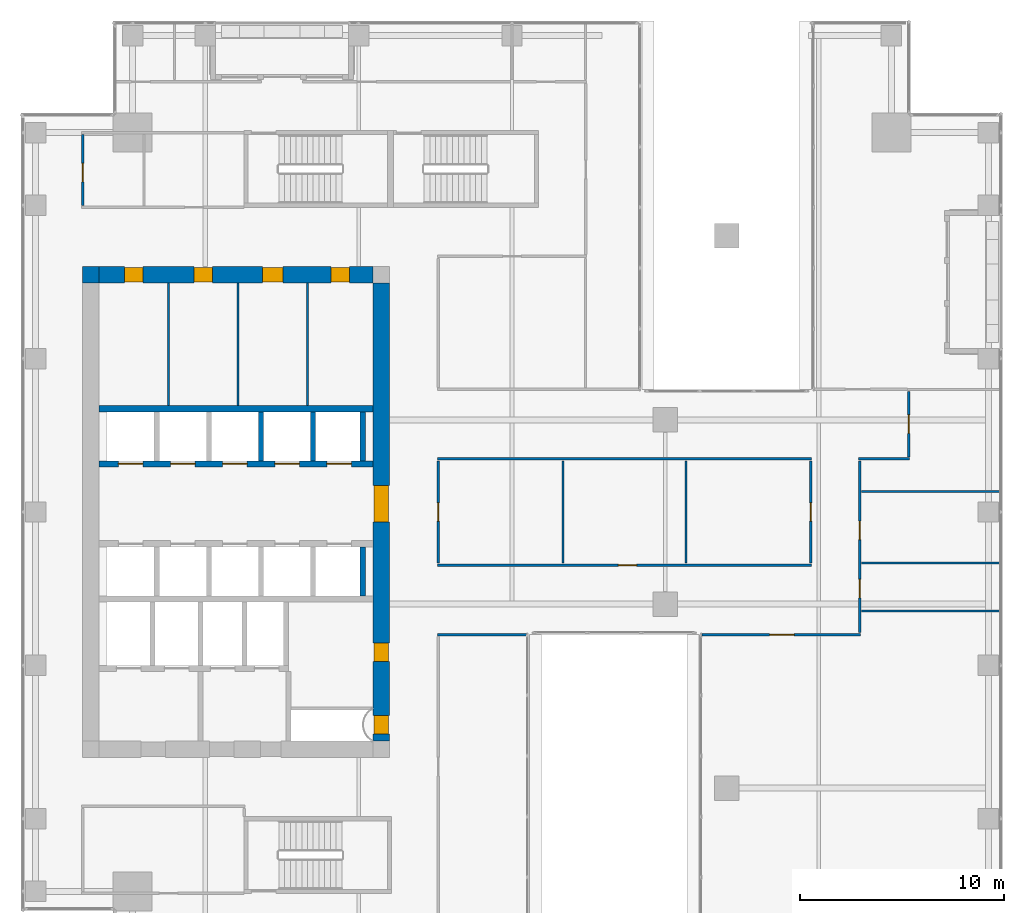
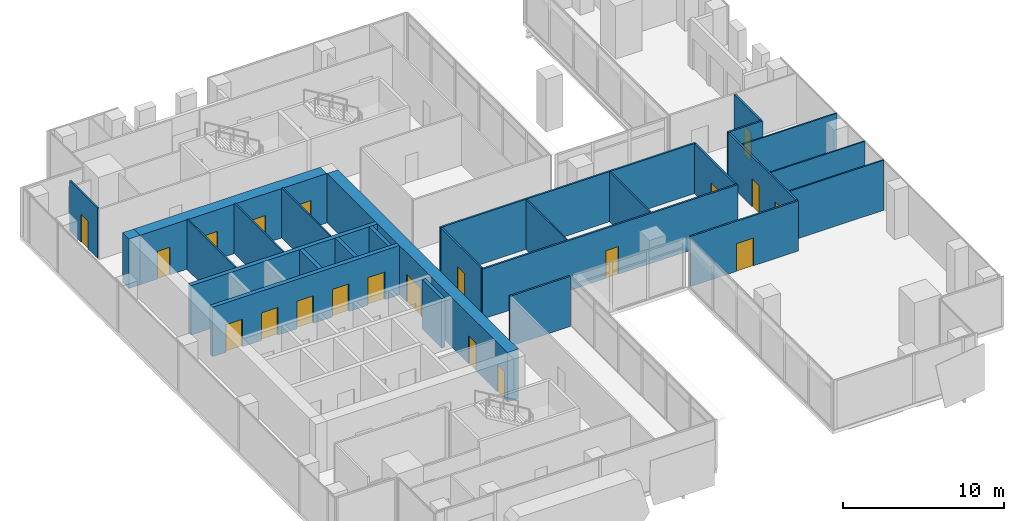
# One storey, part 35 of 40: 27 walls, 20 doors, 20 openings.
"""IFC4 building model written with IfcOpenShell, lengths in metres."""

from ifc_helpers import new_model, si_unit, direction, frame, frame_2d, origin, place, context, subcontext, project, spatial, rectangle, extrude, source, transform, mapped, material, layer, layer_set, type_object, element, fill, save


model = new_model("IFC4")

# Units and contexts
model_context = context("Model", 3, precision=1e-05, world=origin(), true_north=direction((0.0, 1.0)))
body_context = subcontext(model_context, "Body", "Model", "MODEL_VIEW")
ifc_project = project(units=[si_unit("LENGTHUNIT", "METRE"), si_unit("AREAUNIT", "SQUARE_METRE"), si_unit("VOLUMEUNIT", "CUBIC_METRE"), si_unit("PLANEANGLEUNIT", "RADIAN"), si_unit("MASSUNIT", "GRAM", prefix="KILO")], contexts=[model_context])

# Site, building, storey
site_placement = place(None, origin())
site = spatial("IfcSite", under=ifc_project, at=site_placement, CompositionType="ELEMENT")
building_placement = place(site_placement, origin())
building = spatial("IfcBuilding", under=site, at=building_placement, Name="Khomas Fold Tower", CompositionType="ELEMENT")
storey_placement = place(building_placement, frame((0.0, 0.0, 180.699951171875)))
storey = spatial("IfcBuildingStorey", under=building, at=storey_placement, Name="L39", CompositionType="ELEMENT", Elevation=180.699951171875)

# Wall, openings, doors
ifc_material_1 = material(Name="Concrete C60/75", Category="concrete")
ifc_layer_1 = layer(ifc_material_1, 0.800048828125)
ifc_layer_set_1 = layer_set([ifc_layer_1], Name="Concrete C60/75")
wall_type_1 = type_object("IfcWallType", Name="Core wall 800", PredefinedType="SHEAR", material=ifc_layer_set_1)
shared_shape_1 = source(origin(), body_context, "Body", "SweptSolid", [
    extrude(rectangle(XDim=13.39990234375, YDim=0.800048828125, at=frame_2d((6.699951171875, 0.0))), origin(), (0.0, 0.0, 1.0), 3.75),
])
wall_1_placement = place(storey_placement, frame((6.800048828125, 38.60009765625, 0.0), z_axis=(0.0, 0.0, 1.0), x_axis=(1.0, 0.0, 0.0)))
wall_1 = element("IfcWall", 1, at=wall_1_placement, inside=storey, type_object=wall_type_1, Name="Core wall CW-U-N-L35", PredefinedType="SHEAR", context=body_context, shape_type="MappedRepresentation", body=[
    mapped(shared_shape_1, transform((0.0, 0.0, 0.0))),
])
shared_shape_2 = source(origin(), body_context, "Body", "SweptSolid", [
    extrude(rectangle(XDim=0.89990234375, YDim=2.10009765625, at=frame_2d((0.449951171875, 1.050048828125))), frame((0.0, 0.409912109375, 0.0), z_axis=(0.0, -1.0, 0.0), x_axis=(1.0, 0.0, 0.0)), (0.0, 0.0, 1.0), 0.820068359375),
])
opening_1_placement = place(wall_1_placement, frame((1.25, 0.0, 0.0)))
opening_1 = element("IfcOpeningElement", 2, at=opening_1_placement, cuts=wall_1, Name="Opening 0004", PredefinedType="OPENING", context=body_context, shape_type="MappedRepresentation", body=[
    mapped(shared_shape_2, transform((0.0, 0.0, 0.0))),
])
opening_2_placement = place(wall_1_placement, frame((4.64990234375, 0.0, 0.0)))
opening_2 = element("IfcOpeningElement", 3, at=opening_2_placement, cuts=wall_1, Name="Opening 0004", PredefinedType="OPENING", context=body_context, shape_type="MappedRepresentation", body=[
    mapped(shared_shape_2, transform((0.0, 0.0, 0.0))),
])
shared_shape_3 = source(origin(), body_context, "Body", "SweptSolid", [
    extrude(rectangle(XDim=1.0, YDim=2.10009765625, at=frame_2d((0.5, 1.050048828125))), frame((0.0, 0.409912109375, 0.0), z_axis=(0.0, -1.0, 0.0), x_axis=(1.0, 0.0, 0.0)), (0.0, 0.0, 1.0), 0.820068359375),
])
opening_3_placement = place(wall_1_placement, frame((8.0, 0.0, 0.0)))
opening_3 = element("IfcOpeningElement", 4, at=opening_3_placement, cuts=wall_1, Name="Opening 0006", PredefinedType="OPENING", context=body_context, shape_type="MappedRepresentation", body=[
    mapped(shared_shape_3, transform((0.0, 0.0, 0.0))),
])
opening_4_placement = place(wall_1_placement, frame((11.35009765625, 0.0, 0.0)))
opening_4 = element("IfcOpeningElement", 5, at=opening_4_placement, cuts=wall_1, Name="Opening 0008", PredefinedType="OPENING", context=body_context, shape_type="MappedRepresentation", body=[
    mapped(shared_shape_2, transform((0.0, 0.0, 0.0))),
])
ifc_material_2 = material(Name="Timber door leaf", Category="wood")
door_type_1 = type_object("IfcDoorType", Name="WC door 900x2100 right-hand", OperationType="SINGLE_SWING_RIGHT", PredefinedType="DOOR", material=ifc_material_2)
shared_shape_4 = source(origin(), body_context, "Body", "SweptSolid", [
    extrude(rectangle(XDim=0.89990234375, YDim=2.10009765625, at=frame_2d((0.449951171875, 1.050048828125))), frame((0.0, 0.35009765625, 0.0), z_axis=(0.0, -1.0, 0.0), x_axis=(1.0, 0.0, 0.0)), (0.0, 0.0, 1.0), 0.699951171875),
])
door_1_placement = place(opening_1_placement, origin())
door_1 = element("IfcDoor", 6, at=door_1_placement, inside=storey, type_object=door_type_1, Name="WC door", OperationType="SINGLE_SWING_RIGHT", OverallHeight=2.10009765625, OverallWidth=0.89990234375, PredefinedType="DOOR", context=body_context, shape_type="MappedRepresentation", body=[
    mapped(shared_shape_4, transform((0.0, 0.0, 0.0))),
])
fill(opening_1, door_1)
door_2_placement = place(opening_2_placement, origin())
door_2 = element("IfcDoor", 7, at=door_2_placement, inside=storey, type_object=door_type_1, Name="WC door", OperationType="SINGLE_SWING_RIGHT", OverallHeight=2.10009765625, OverallWidth=0.89990234375, PredefinedType="DOOR", context=body_context, shape_type="MappedRepresentation", body=[
    mapped(shared_shape_4, transform((0.0, 0.0, 0.0))),
])
fill(opening_2, door_2)
ifc_material_3 = material(Name="Timber door leaf", Category="wood")
door_type_2 = type_object("IfcDoorType", Name="Door 900x2100 right-hand", OperationType="SINGLE_SWING_RIGHT", PredefinedType="DOOR", material=ifc_material_3)
door_3_placement = place(opening_4_placement, origin())
door_3 = element("IfcDoor", 8, at=door_3_placement, inside=storey, type_object=door_type_2, Name="Door", OperationType="SINGLE_SWING_RIGHT", OverallHeight=2.10009765625, OverallWidth=0.89990234375, PredefinedType="DOOR", context=body_context, shape_type="MappedRepresentation", body=[
    mapped(shared_shape_4, transform((0.0, 0.0, 0.0))),
])
fill(opening_4, door_3)
ifc_material_4 = material(Name="Timber door leaf", Category="wood")
door_type_3 = type_object("IfcDoorType", Name="WC door 1000x2100 right-hand", OperationType="SINGLE_SWING_RIGHT", PredefinedType="DOOR", material=ifc_material_4)
shared_shape_5 = source(origin(), body_context, "Body", "SweptSolid", [
    extrude(rectangle(XDim=1.0, YDim=2.10009765625, at=frame_2d((0.5, 1.050048828125))), frame((0.0, 0.35009765625, 0.0), z_axis=(0.0, -1.0, 0.0), x_axis=(1.0, 0.0, 0.0)), (0.0, 0.0, 1.0), 0.699951171875),
])
door_4_placement = place(opening_3_placement, origin())
door_4 = element("IfcDoor", 9, at=door_4_placement, inside=storey, type_object=door_type_3, Name="WC door", OperationType="SINGLE_SWING_RIGHT", OverallHeight=2.10009765625, OverallWidth=1.0, PredefinedType="DOOR", context=body_context, shape_type="MappedRepresentation", body=[
    mapped(shared_shape_5, transform((0.0, 0.0, 0.0))),
])
fill(opening_3, door_4)

# Wall
ifc_material_5 = material(Name="Concrete C60/75", Category="concrete")
ifc_layer_2 = layer(ifc_material_5, 0.800048828125)
ifc_layer_set_2 = layer_set([ifc_layer_2], Name="Concrete C60/75")
wall_type_2 = type_object("IfcWallType", Name="Core corner wall 800", PredefinedType="SHEAR", material=ifc_layer_set_2)
shared_shape_6 = source(origin(), body_context, "Body", "SweptSolid", [
    extrude(rectangle(XDim=0.800048828125, YDim=0.800048828125, at=frame_2d((0.39990234375, 0.0))), origin(), (0.0, 0.0, 1.0), 3.75),
])
wall_2_placement = place(storey_placement, frame((6.0, 38.60009765625, 0.0), z_axis=(0.0, 0.0, 1.0), x_axis=(1.0, 0.0, 0.0)))
element("IfcWall", 10, at=wall_2_placement, inside=storey, type_object=wall_type_2, Name="Core wall CW-U-NW-L35", PredefinedType="SHEAR", context=body_context, shape_type="MappedRepresentation", body=[
    mapped(shared_shape_6, transform((0.0, 0.0, 0.0))),
])

# Wall, openings, doors
shared_shape_7 = source(origin(), body_context, "Body", "SweptSolid", [
    extrude(rectangle(XDim=22.39990234375, YDim=0.800048828125, at=frame_2d((11.199951171875, 0.0))), origin(), (0.0, 0.0, 1.0), 3.75),
])
wall_3_placement = place(storey_placement, frame((20.60009765625, 15.800048828125, 0.0), z_axis=(0.0, 0.0, 1.0), x_axis=(0.0, 1.0, 0.0)))
wall_3 = element("IfcWall", 11, at=wall_3_placement, inside=storey, type_object=wall_type_1, Name="Core wall CW-U-E-L35", PredefinedType="SHEAR", context=body_context, shape_type="MappedRepresentation", body=[
    mapped(shared_shape_7, transform((0.0, 0.0, 0.0))),
])
shared_shape_8 = source(origin(), body_context, "Body", "SweptSolid", [
    extrude(rectangle(XDim=1.800048828125, YDim=2.10009765625, at=frame_2d((0.89990234375, 1.050048828125))), frame((0.0, 0.409912109375, 0.0), z_axis=(0.0, -1.0, 0.0), x_axis=(1.0, 0.0, 0.0)), (0.0, 0.0, 1.0), 0.820068359375),
])
opening_5_placement = place(wall_3_placement, frame((10.699951171875, 0.0, 0.0)))
opening_5 = element("IfcOpeningElement", 12, at=opening_5_placement, cuts=wall_3, Name="Opening 0015", PredefinedType="OPENING", context=body_context, shape_type="MappedRepresentation", body=[
    mapped(shared_shape_8, transform((0.0, 0.0, 0.0))),
])
opening_6_placement = place(wall_3_placement, frame((0.35009765625, 0.0, 0.0)))
opening_6 = element("IfcOpeningElement", 13, at=opening_6_placement, cuts=wall_3, Name="Opening 0003", PredefinedType="OPENING", context=body_context, shape_type="MappedRepresentation", body=[
    mapped(shared_shape_2, transform((0.0, 0.0, 0.0))),
])
opening_7_placement = place(wall_3_placement, frame((3.89990234375, 0.0, 0.0)))
opening_7 = element("IfcOpeningElement", 14, at=opening_7_placement, cuts=wall_3, Name="Opening 0008", PredefinedType="OPENING", context=body_context, shape_type="MappedRepresentation", body=[
    mapped(shared_shape_2, transform((0.0, 0.0, 0.0))),
])
ifc_material_6 = material(Name="Steel door leaf", Category="steel")
door_type_4 = type_object("IfcDoorType", Name="Lobby door 1800x2100", OperationType="DOUBLE_DOOR_SINGLE_SWING", PredefinedType="DOOR", material=ifc_material_6)
shared_shape_9 = source(origin(), body_context, "Body", "SweptSolid", [
    extrude(rectangle(XDim=1.800048828125, YDim=2.10009765625, at=frame_2d((0.89990234375, 1.050048828125))), frame((0.0, 0.35009765625, 0.0), z_axis=(0.0, -1.0, 0.0), x_axis=(1.0, 0.0, 0.0)), (0.0, 0.0, 1.0), 0.699951171875),
])
door_5_placement = place(opening_5_placement, origin())
door_5 = element("IfcDoor", 15, at=door_5_placement, inside=storey, type_object=door_type_4, Name="Lobby door", OperationType="DOUBLE_DOOR_SINGLE_SWING", OverallHeight=2.10009765625, OverallWidth=1.800048828125, PredefinedType="DOOR", context=body_context, shape_type="MappedRepresentation", body=[
    mapped(shared_shape_9, transform((0.0, 0.0, 0.0))),
])
fill(opening_5, door_5)
ifc_material_7 = material(Name="Steel door leaf", Category="steel")
door_type_5 = type_object("IfcDoorType", Name="Plant room door 900x2100 right-hand", OperationType="SINGLE_SWING_RIGHT", PredefinedType="DOOR", material=ifc_material_7)
door_6_placement = place(opening_6_placement, origin())
door_6 = element("IfcDoor", 16, at=door_6_placement, inside=storey, type_object=door_type_5, Name="Plant room door", OperationType="SINGLE_SWING_RIGHT", OverallHeight=2.10009765625, OverallWidth=0.89990234375, PredefinedType="DOOR", context=body_context, shape_type="MappedRepresentation", body=[
    mapped(shared_shape_4, transform((0.0, 0.0, 0.0))),
])
fill(opening_6, door_6)
door_7_placement = place(opening_7_placement, origin())
door_7 = element("IfcDoor", 17, at=door_7_placement, inside=storey, type_object=door_type_2, Name="Door", OperationType="SINGLE_SWING_RIGHT", OverallHeight=2.10009765625, OverallWidth=0.89990234375, PredefinedType="DOOR", context=body_context, shape_type="MappedRepresentation", body=[
    mapped(shared_shape_4, transform((0.0, 0.0, 0.0))),
])
fill(opening_7, door_7)

# Wall
ifc_material_8 = material(Name="Concrete C50/60", Category="concrete")
ifc_layer_3 = layer(ifc_material_8, 0.300048828125)
ifc_layer_set_3 = layer_set([ifc_layer_3], Name="Concrete C50/60")
wall_type_3 = type_object("IfcWallType", Name="Shaft wall 300", PredefinedType="STANDARD", material=ifc_layer_set_3)
shared_shape_10 = source(origin(), body_context, "Body", "SweptSolid", [
    extrude(rectangle(XDim=13.39990234375, YDim=0.300048828125, at=frame_2d((6.699951171875, 0.0))), origin(), (0.0, 0.0, 1.0), 3.75),
])
wall_4_placement = place(storey_placement, frame((6.800048828125, 32.050048828125, 0.0), z_axis=(0.0, 0.0, 1.0), x_axis=(1.0, 0.0, 0.0)))
element("IfcWall", 18, at=wall_4_placement, inside=storey, type_object=wall_type_3, Name="Core wall SW-HRN-B", PredefinedType="STANDARD", context=body_context, shape_type="MappedRepresentation", body=[
    mapped(shared_shape_10, transform((0.0, 0.0, 0.0))),
])

# Wall, openings, doors
wall_5_placement = place(storey_placement, frame((6.800048828125, 29.35009765625, 0.0), z_axis=(0.0, 0.0, 1.0), x_axis=(1.0, 0.0, 0.0)))
wall_5 = element("IfcWall", 19, at=wall_5_placement, inside=storey, type_object=wall_type_3, Name="Core wall SW-HRN-F", PredefinedType="STANDARD", context=body_context, shape_type="MappedRepresentation", body=[
    mapped(shared_shape_10, transform((0.0, 0.0, 0.0))),
])
shared_shape_11 = source(origin(), body_context, "Body", "SweptSolid", [
    extrude(rectangle(XDim=1.199951171875, YDim=2.10009765625, at=frame_2d((0.60009765625, 1.050048828125))), frame((0.0, 0.159912109375, 0.0), z_axis=(0.0, -1.0, 0.0), x_axis=(1.0, 0.0, 0.0)), (0.0, 0.0, 1.0), 0.320068359375),
])
opening_8_placement = place(wall_5_placement, frame((0.949951171875, 0.0, 0.0)))
opening_8 = element("IfcOpeningElement", 20, at=opening_8_placement, cuts=wall_5, Name="Opening LD-HR4", PredefinedType="OPENING", context=body_context, shape_type="MappedRepresentation", body=[
    mapped(shared_shape_11, transform((0.0, 0.0, 0.0))),
])
opening_9_placement = place(wall_5_placement, frame((3.5, 0.0, 0.0)))
opening_9 = element("IfcOpeningElement", 21, at=opening_9_placement, cuts=wall_5, Name="Opening LD-HR5", PredefinedType="OPENING", context=body_context, shape_type="MappedRepresentation", body=[
    mapped(shared_shape_11, transform((0.0, 0.0, 0.0))),
])
opening_10_placement = place(wall_5_placement, frame((6.050048828125, 0.0, 0.0)))
opening_10 = element("IfcOpeningElement", 22, at=opening_10_placement, cuts=wall_5, Name="Opening LD-HR6", PredefinedType="OPENING", context=body_context, shape_type="MappedRepresentation", body=[
    mapped(shared_shape_11, transform((0.0, 0.0, 0.0))),
])
opening_11_placement = place(wall_5_placement, frame((8.60009765625, 0.0, 0.0)))
opening_11 = element("IfcOpeningElement", 23, at=opening_11_placement, cuts=wall_5, Name="Opening LD-MR3", PredefinedType="OPENING", context=body_context, shape_type="MappedRepresentation", body=[
    mapped(shared_shape_11, transform((0.0, 0.0, 0.0))),
])
opening_12_placement = place(wall_5_placement, frame((11.14990234375, 0.0, 0.0)))
opening_12 = element("IfcOpeningElement", 24, at=opening_12_placement, cuts=wall_5, Name="Opening LD-MR4", PredefinedType="OPENING", context=body_context, shape_type="MappedRepresentation", body=[
    mapped(shared_shape_11, transform((0.0, 0.0, 0.0))),
])
ifc_material_9 = material(Name="Steel door leaf", Category="steel")
door_type_6 = type_object("IfcDoorType", Name="Landing door 1200x2100", OperationType="DOUBLE_DOOR_SLIDING", PredefinedType="DOOR", material=ifc_material_9)
shared_shape_12 = source(origin(), body_context, "Body", "SweptSolid", [
    extrude(rectangle(XDim=1.199951171875, YDim=2.10009765625, at=frame_2d((0.60009765625, 1.050048828125))), frame((0.0, 0.02490234375, 0.0), z_axis=(0.0, -1.0, 0.0), x_axis=(1.0, 0.0, 0.0)), (0.0, 0.0, 1.0), 0.050048828125),
])
door_8_placement = place(opening_8_placement, origin())
door_8 = element("IfcDoor", 25, at=door_8_placement, inside=storey, type_object=door_type_6, Name="Lift landing door", OperationType="DOUBLE_DOOR_SLIDING", OverallHeight=2.10009765625, OverallWidth=1.199951171875, PredefinedType="DOOR", context=body_context, shape_type="MappedRepresentation", body=[
    mapped(shared_shape_12, transform((0.0, 0.0, 0.0))),
])
fill(opening_8, door_8)
door_9_placement = place(opening_9_placement, origin())
door_9 = element("IfcDoor", 26, at=door_9_placement, inside=storey, type_object=door_type_6, Name="Lift landing door", OperationType="DOUBLE_DOOR_SLIDING", OverallHeight=2.10009765625, OverallWidth=1.199951171875, PredefinedType="DOOR", context=body_context, shape_type="MappedRepresentation", body=[
    mapped(shared_shape_12, transform((0.0, 0.0, 0.0))),
])
fill(opening_9, door_9)
door_10_placement = place(opening_10_placement, origin())
door_10 = element("IfcDoor", 27, at=door_10_placement, inside=storey, type_object=door_type_6, Name="Lift landing door", OperationType="DOUBLE_DOOR_SLIDING", OverallHeight=2.10009765625, OverallWidth=1.199951171875, PredefinedType="DOOR", context=body_context, shape_type="MappedRepresentation", body=[
    mapped(shared_shape_12, transform((0.0, 0.0, 0.0))),
])
fill(opening_10, door_10)
door_11_placement = place(opening_11_placement, origin())
door_11 = element("IfcDoor", 28, at=door_11_placement, inside=storey, type_object=door_type_6, Name="Lift landing door", OperationType="DOUBLE_DOOR_SLIDING", OverallHeight=2.10009765625, OverallWidth=1.199951171875, PredefinedType="DOOR", context=body_context, shape_type="MappedRepresentation", body=[
    mapped(shared_shape_12, transform((0.0, 0.0, 0.0))),
])
fill(opening_11, door_11)
door_12_placement = place(opening_12_placement, origin())
door_12 = element("IfcDoor", 29, at=door_12_placement, inside=storey, type_object=door_type_6, Name="Lift landing door", OperationType="DOUBLE_DOOR_SLIDING", OverallHeight=2.10009765625, OverallWidth=1.199951171875, PredefinedType="DOOR", context=body_context, shape_type="MappedRepresentation", body=[
    mapped(shared_shape_12, transform((0.0, 0.0, 0.0))),
])
fill(opening_12, door_12)

# Walls
ifc_material_10 = material(Name="Concrete C50/60", Category="concrete")
ifc_layer_4 = layer(ifc_material_10, 0.25)
ifc_layer_set_4 = layer_set([ifc_layer_4], Name="Concrete C50/60")
wall_type_4 = type_object("IfcWallType", Name="Shaft wall 250", PredefinedType="STANDARD", material=ifc_layer_set_4)
shared_shape_13 = source(origin(), body_context, "Body", "SweptSolid", [
    extrude(rectangle(XDim=2.39990234375, YDim=0.25, at=frame_2d((1.199951171875, 0.0))), origin(), (0.0, 0.0, 1.0), 3.75),
])
for number, where, z_axis, x_axis, name in (
    (30, (17.27490234375, 29.5, 0.0), (0.0, 0.0, 1.0), (0.0, 1.0, 0.0), "Core wall SW-HRN-MR-P1"),
    (31, (19.699951171875, 29.5, 0.0), (0.0, 0.0, 1.0), (0.0, 1.0, 0.0), "Core wall SW-HRN-MR-PE"),
    (32, (14.72509765625, 29.5, 0.0), (0.0, 0.0, 1.0), (0.0, 1.0, 0.0), "Core wall SW-HRN-PE"),
):
    element("IfcWall", number, at=place(storey_placement, frame(where, z_axis=z_axis, x_axis=x_axis)), inside=storey, type_object=wall_type_4, Name=name, PredefinedType="STANDARD", context=body_context, shape_type="MappedRepresentation", body=[
        mapped(shared_shape_13, transform((0.0, 0.0, 0.0))),
    ])
shared_shape_14 = source(origin(), body_context, "Body", "SweptSolid", [
    extrude(rectangle(XDim=2.400146484375, YDim=0.25, at=frame_2d((1.2001953125, 0.0))), origin(), (0.0, 0.0, 1.0), 3.75),
])
wall_6_placement = place(storey_placement, frame((19.699951171875, 22.89990234375, 0.0), z_axis=(0.0, 0.0, 1.0), x_axis=(0.0, 1.0, 0.0)))
element("IfcWall", 33, at=wall_6_placement, inside=storey, type_object=wall_type_4, Name="Core wall SW-HRS-MR-PE", PredefinedType="STANDARD", context=body_context, shape_type="MappedRepresentation", body=[
    mapped(shared_shape_14, transform((0.0, 0.0, 0.0))),
])

# Wall, openings, doors
ifc_material_11 = material(Name="Plasterboard partition")
ifc_layer_5 = layer(ifc_material_11, 0.125)
ifc_layer_set_5 = layer_set([ifc_layer_5], Name="Plasterboard partition")
wall_type_5 = type_object("IfcWallType", Name="Partition PW2 125", PredefinedType="PARTITIONING", material=ifc_layer_set_5)
shared_shape_15 = source(origin(), body_context, "Body", "SweptSolid", [
    extrude(rectangle(XDim=8.39990234375, YDim=0.125, at=frame_2d((4.199951171875, 0.0))), origin(), (0.0, 0.0, 1.0), 3.800048828125),
])
wall_7_placement = place(storey_placement, frame((44.0, 21.10009765625, 0.0), z_axis=(0.0, 0.0, 1.0), x_axis=(0.0, 1.0, 0.0)))
wall_7 = element("IfcWall", 34, at=wall_7_placement, inside=storey, type_object=wall_type_5, Name="Partition", PredefinedType="PARTITIONING", context=body_context, shape_type="MappedRepresentation", body=[
    mapped(shared_shape_15, transform((0.0, 0.0, 0.0))),
])
shared_shape_16 = source(origin(), body_context, "Body", "SweptSolid", [
    extrude(rectangle(XDim=0.89990234375, YDim=2.10009765625, at=frame_2d((0.449951171875, 1.050048828125))), frame((0.0, 0.072509765625, 0.0), z_axis=(0.0, -1.0, 0.0), x_axis=(1.0, 0.0, 0.0)), (0.0, 0.0, 1.0), 0.14501953125),
])
opening_13_placement = place(wall_7_placement, frame((1.699951171875, 0.0, 0.0)))
opening_13 = element("IfcOpeningElement", 35, at=opening_13_placement, cuts=wall_7, Name="Opening 0007", PredefinedType="OPENING", context=body_context, shape_type="MappedRepresentation", body=[
    mapped(shared_shape_16, transform((0.0, 0.0, 0.0))),
])
opening_14_placement = place(wall_7_placement, frame((4.550048828125, 0.0, 0.0)))
opening_14 = element("IfcOpeningElement", 36, at=opening_14_placement, cuts=wall_7, Name="Opening 0007", PredefinedType="OPENING", context=body_context, shape_type="MappedRepresentation", body=[
    mapped(shared_shape_16, transform((0.0, 0.0, 0.0))),
])
ifc_material_12 = material(Name="Timber door leaf", Category="wood")
door_type_7 = type_object("IfcDoorType", Name="Door 900x2100 left-hand", OperationType="SINGLE_SWING_LEFT", PredefinedType="DOOR", material=ifc_material_12)
shared_shape_17 = source(origin(), body_context, "Body", "SweptSolid", [
    extrude(rectangle(XDim=0.89990234375, YDim=2.10009765625, at=frame_2d((0.449951171875, 1.050048828125))), frame((0.0, 0.02490234375, 0.0), z_axis=(0.0, -1.0, 0.0), x_axis=(1.0, 0.0, 0.0)), (0.0, 0.0, 1.0), 0.050048828125),
])
door_13_placement = place(opening_13_placement, origin())
door_13 = element("IfcDoor", 37, at=door_13_placement, inside=storey, type_object=door_type_7, Name="Door", OperationType="SINGLE_SWING_LEFT", OverallHeight=2.10009765625, OverallWidth=0.89990234375, PredefinedType="DOOR", context=body_context, shape_type="MappedRepresentation", body=[
    mapped(shared_shape_17, transform((0.0, 0.0, 0.0))),
])
fill(opening_13, door_13)
door_14_placement = place(opening_14_placement, origin())
door_14 = element("IfcDoor", 38, at=door_14_placement, inside=storey, type_object=door_type_7, Name="Door", OperationType="SINGLE_SWING_LEFT", OverallHeight=2.10009765625, OverallWidth=0.89990234375, PredefinedType="DOOR", context=body_context, shape_type="MappedRepresentation", body=[
    mapped(shared_shape_17, transform((0.0, 0.0, 0.0))),
])
fill(opening_14, door_14)

# Wall, opening, door
shared_shape_18 = source(origin(), body_context, "Body", "SweptSolid", [
    extrude(rectangle(XDim=18.2998046875, YDim=0.125, at=frame_2d((9.14990234375, 0.0))), origin(), (0.0, 0.0, 1.0), 3.800048828125),
])
wall_8_placement = place(storey_placement, frame((23.35009765625, 24.39990234375, 0.0), z_axis=(0.0, 0.0, 1.0), x_axis=(1.0, 0.0, 0.0)))
wall_8 = element("IfcWall", 39, at=wall_8_placement, inside=storey, type_object=wall_type_5, Name="Partition", PredefinedType="PARTITIONING", context=body_context, shape_type="MappedRepresentation", body=[
    mapped(shared_shape_18, transform((0.0, 0.0, 0.0))),
])
opening_15_placement = place(wall_8_placement, frame((8.85009765625, 0.0, 0.0)))
opening_15 = element("IfcOpeningElement", 40, at=opening_15_placement, cuts=wall_8, Name="Opening 0007", PredefinedType="OPENING", context=body_context, shape_type="MappedRepresentation", body=[
    mapped(shared_shape_16, transform((0.0, 0.0, 0.0))),
])
door_15_placement = place(opening_15_placement, origin())
door_15 = element("IfcDoor", 41, at=door_15_placement, inside=storey, type_object=door_type_7, Name="Door", OperationType="SINGLE_SWING_LEFT", OverallHeight=2.10009765625, OverallWidth=0.89990234375, PredefinedType="DOOR", context=body_context, shape_type="MappedRepresentation", body=[
    mapped(shared_shape_17, transform((0.0, 0.0, 0.0))),
])
fill(opening_15, door_15)

# Wall
wall_9_placement = place(storey_placement, frame((23.35009765625, 29.60009765625, 0.0), z_axis=(0.0, 0.0, 1.0), x_axis=(1.0, 0.0, 0.0)))
element("IfcWall", 42, at=wall_9_placement, inside=storey, type_object=wall_type_5, Name="Partition", PredefinedType="PARTITIONING", context=body_context, shape_type="MappedRepresentation", body=[
    mapped(shared_shape_18, transform((0.0, 0.0, 0.0))),
])

# Wall, opening, door
shared_shape_19 = source(origin(), body_context, "Body", "SweptSolid", [
    extrude(rectangle(XDim=5.0, YDim=0.125, at=frame_2d((2.5, 0.0))), origin(), (0.0, 0.0, 1.0), 3.800048828125),
])
wall_10_placement = place(storey_placement, frame((23.39990234375, 24.5, 0.0), z_axis=(0.0, 0.0, 1.0), x_axis=(0.0, 1.0, 0.0)))
wall_10 = element("IfcWall", 43, at=wall_10_placement, inside=storey, type_object=wall_type_5, Name="Partition", PredefinedType="PARTITIONING", context=body_context, shape_type="MappedRepresentation", body=[
    mapped(shared_shape_19, transform((0.0, 0.0, 0.0))),
])
opening_16_placement = place(wall_10_placement, frame((2.050048828125, 0.0, 0.0)))
opening_16 = element("IfcOpeningElement", 44, at=opening_16_placement, cuts=wall_10, Name="Opening 0008", PredefinedType="OPENING", context=body_context, shape_type="MappedRepresentation", body=[
    mapped(shared_shape_16, transform((0.0, 0.0, 0.0))),
])
door_16_placement = place(opening_16_placement, origin())
door_16 = element("IfcDoor", 45, at=door_16_placement, inside=storey, type_object=door_type_2, Name="Door", OperationType="SINGLE_SWING_RIGHT", OverallHeight=2.10009765625, OverallWidth=0.89990234375, PredefinedType="DOOR", context=body_context, shape_type="MappedRepresentation", body=[
    mapped(shared_shape_17, transform((0.0, 0.0, 0.0))),
])
fill(opening_16, door_16)

wall_11_placement = place(storey_placement, frame((41.60009765625, 24.5, 0.0), z_axis=(0.0, 0.0, 1.0), x_axis=(0.0, 1.0, 0.0)))
wall_11 = element("IfcWall", 46, at=wall_11_placement, inside=storey, type_object=wall_type_5, Name="Partition", PredefinedType="PARTITIONING", context=body_context, shape_type="MappedRepresentation", body=[
    mapped(shared_shape_19, transform((0.0, 0.0, 0.0))),
])
opening_17_placement = place(wall_11_placement, frame((2.050048828125, 0.0, 0.0)))
opening_17 = element("IfcOpeningElement", 47, at=opening_17_placement, cuts=wall_11, Name="Opening 0007", PredefinedType="OPENING", context=body_context, shape_type="MappedRepresentation", body=[
    mapped(shared_shape_16, transform((0.0, 0.0, 0.0))),
])
door_17_placement = place(opening_17_placement, origin())
door_17 = element("IfcDoor", 48, at=door_17_placement, inside=storey, type_object=door_type_7, Name="Door", OperationType="SINGLE_SWING_LEFT", OverallHeight=2.10009765625, OverallWidth=0.89990234375, PredefinedType="DOOR", context=body_context, shape_type="MappedRepresentation", body=[
    mapped(shared_shape_17, transform((0.0, 0.0, 0.0))),
])
fill(opening_17, door_17)

# Wall
shared_shape_20 = source(origin(), body_context, "Body", "SweptSolid", [
    extrude(rectangle(XDim=2.5, YDim=0.125, at=frame_2d((1.25, 0.0))), origin(), (0.0, 0.0, 1.0), 3.800048828125),
])
wall_12_placement = place(storey_placement, frame((43.949951171875, 29.60009765625, 0.0), z_axis=(0.0, 0.0, 1.0), x_axis=(1.0, 0.0, 0.0)))
element("IfcWall", 49, at=wall_12_placement, inside=storey, type_object=wall_type_5, Name="Partition", PredefinedType="PARTITIONING", context=body_context, shape_type="MappedRepresentation", body=[
    mapped(shared_shape_20, transform((0.0, 0.0, 0.0))),
])

# Wall, opening, door
shared_shape_21 = source(origin(), body_context, "Body", "SweptSolid", [
    extrude(rectangle(XDim=3.199951171875, YDim=0.125, at=frame_2d((1.60009765625, 0.0))), origin(), (0.0, 0.0, 1.0), 3.800048828125),
])
wall_13_placement = place(storey_placement, frame((46.39990234375, 29.699951171875, 0.0), z_axis=(0.0, 0.0, 1.0), x_axis=(0.0, 1.0, 0.0)))
wall_13 = element("IfcWall", 50, at=wall_13_placement, inside=storey, type_object=wall_type_5, Name="Partition", PredefinedType="PARTITIONING", context=body_context, shape_type="MappedRepresentation", body=[
    mapped(shared_shape_21, transform((0.0, 0.0, 0.0))),
])
opening_18_placement = place(wall_13_placement, frame((1.14990234375, 0.0, 0.0)))
opening_18 = element("IfcOpeningElement", 51, at=opening_18_placement, cuts=wall_13, Name="Opening 0007", PredefinedType="OPENING", context=body_context, shape_type="MappedRepresentation", body=[
    mapped(shared_shape_16, transform((0.0, 0.0, 0.0))),
])
door_18_placement = place(opening_18_placement, origin())
door_18 = element("IfcDoor", 52, at=door_18_placement, inside=storey, type_object=door_type_7, Name="Door", OperationType="SINGLE_SWING_LEFT", OverallHeight=2.10009765625, OverallWidth=0.89990234375, PredefinedType="DOOR", context=body_context, shape_type="MappedRepresentation", body=[
    mapped(shared_shape_17, transform((0.0, 0.0, 0.0))),
])
fill(opening_18, door_18)

# Walls
ifc_material_13 = material(Name="Plasterboard partition")
ifc_layer_6 = layer(ifc_material_13, 0.10009765625)
ifc_layer_set_6 = layer_set([ifc_layer_6], Name="Plasterboard partition")
wall_type_6 = type_object("IfcWallType", Name="Partition PW1 100", PredefinedType="PARTITIONING", material=ifc_layer_set_6)
shared_shape_22 = source(origin(), body_context, "Body", "SweptSolid", [
    extrude(rectangle(XDim=6.0, YDim=0.10009765625, at=frame_2d((3.0, 0.0))), origin(), (0.0, 0.0, 1.0), 3.800048828125),
])
for number, where, z_axis, x_axis, name in (
    (53, (10.199951171875, 32.199951171875, 0.0), (0.0, 0.0, 1.0), (0.0, 1.0, 0.0), "Partition"),
    (54, (13.60009765625, 32.199951171875, 0.0), (0.0, 0.0, 1.0), (0.0, 1.0, 0.0), "Partition"),
    (55, (17.0, 32.199951171875, 0.0), (0.0, 0.0, 1.0), (0.0, 1.0, 0.0), "Partition"),
):
    element("IfcWall", number, at=place(storey_placement, frame(where, z_axis=z_axis, x_axis=x_axis)), inside=storey, type_object=wall_type_6, Name=name, PredefinedType="PARTITIONING", context=body_context, shape_type="MappedRepresentation", body=[
        mapped(shared_shape_22, transform((0.0, 0.0, 0.0))),
    ])

# Wall, opening, door
shared_shape_23 = source(origin(), body_context, "Body", "SweptSolid", [
    extrude(rectangle(XDim=3.449951171875, YDim=0.125, at=frame_2d((1.72509765625, 0.0))), origin(), (0.0, 0.0, 1.0), 3.800048828125),
])
wall_14_placement = place(storey_placement, frame((6.0, 42.0, 0.0), z_axis=(0.0, 0.0, 1.0), x_axis=(0.0, 1.0, 0.0)))
wall_14 = element("IfcWall", 56, at=wall_14_placement, inside=storey, type_object=wall_type_5, Name="Partition", PredefinedType="PARTITIONING", context=body_context, shape_type="MappedRepresentation", body=[
    mapped(shared_shape_23, transform((0.0, 0.0, 0.0))),
])
opening_19_placement = place(wall_14_placement, frame((1.14990234375, 0.0, 0.0)))
opening_19 = element("IfcOpeningElement", 57, at=opening_19_placement, cuts=wall_14, Name="Opening 0007", PredefinedType="OPENING", context=body_context, shape_type="MappedRepresentation", body=[
    mapped(shared_shape_16, transform((0.0, 0.0, 0.0))),
])
door_19_placement = place(opening_19_placement, origin())
door_19 = element("IfcDoor", 58, at=door_19_placement, inside=storey, type_object=door_type_7, Name="Door", OperationType="SINGLE_SWING_LEFT", OverallHeight=2.10009765625, OverallWidth=0.89990234375, PredefinedType="DOOR", context=body_context, shape_type="MappedRepresentation", body=[
    mapped(shared_shape_17, transform((0.0, 0.0, 0.0))),
])
fill(opening_19, door_19)

# Walls
shared_shape_24 = source(origin(), body_context, "Body", "SweptSolid", [
    extrude(rectangle(XDim=6.75, YDim=0.10009765625, at=frame_2d((3.375, 0.0))), origin(), (0.0, 0.0, 1.0), 3.800048828125),
])
for number, where, z_axis, x_axis, name in (
    (59, (44.10009765625, 22.14990234375, 0.0), (0.0, 0.0, 1.0), (1.0, 0.0, 0.0), "Partition"),
    (60, (44.10009765625, 24.5, 0.0), (0.0, 0.0, 1.0), (1.0, 0.0, 0.0), "Partition"),
    (61, (44.10009765625, 28.0, 0.0), (0.0, 0.0, 1.0), (1.0, 0.0, 0.0), "Partition"),
):
    element("IfcWall", number, at=place(storey_placement, frame(where, z_axis=z_axis, x_axis=x_axis)), inside=storey, type_object=wall_type_6, Name=name, PredefinedType="PARTITIONING", context=body_context, shape_type="MappedRepresentation", body=[
        mapped(shared_shape_24, transform((0.0, 0.0, 0.0))),
    ])
shared_shape_25 = source(origin(), body_context, "Body", "SweptSolid", [
    extrude(rectangle(XDim=5.0, YDim=0.10009765625, at=frame_2d((2.5, 0.0))), origin(), (0.0, 0.0, 1.0), 3.800048828125),
])
for number, where, z_axis, x_axis, name in (
    (62, (29.5, 24.5, 0.0), (0.0, 0.0, 1.0), (0.0, 1.0, 0.0), "Partition"),
    (63, (35.5, 24.5, 0.0), (0.0, 0.0, 1.0), (0.0, 1.0, 0.0), "Partition"),
):
    element("IfcWall", number, at=place(storey_placement, frame(where, z_axis=z_axis, x_axis=x_axis)), inside=storey, type_object=wall_type_6, Name=name, PredefinedType="PARTITIONING", context=body_context, shape_type="MappedRepresentation", body=[
        mapped(shared_shape_25, transform((0.0, 0.0, 0.0))),
    ])
shared_shape_26 = source(origin(), body_context, "Body", "SweptSolid", [
    extrude(rectangle(XDim=4.349853515625, YDim=0.125, at=frame_2d((2.1748046875, 0.0))), origin(), (0.0, 0.0, 1.0), 3.800048828125),
])
wall_15_placement = place(storey_placement, frame((23.35009765625, 21.0, 0.0), z_axis=(0.0, 0.0, 1.0), x_axis=(1.0, 0.0, 0.0)))
element("IfcWall", 64, at=wall_15_placement, inside=storey, type_object=wall_type_5, Name="Partition", PredefinedType="PARTITIONING", context=body_context, shape_type="MappedRepresentation", body=[
    mapped(shared_shape_26, transform((0.0, 0.0, 0.0))),
])

# Wall, opening, door
shared_shape_27 = source(origin(), body_context, "Body", "SweptSolid", [
    extrude(rectangle(XDim=7.75, YDim=0.125, at=frame_2d((3.875, 0.0))), origin(), (0.0, 0.0, 1.0), 3.800048828125),
])
wall_16_placement = place(storey_placement, frame((36.300048828125, 21.0, 0.0), z_axis=(0.0, 0.0, 1.0), x_axis=(1.0, 0.0, 0.0)))
wall_16 = element("IfcWall", 65, at=wall_16_placement, inside=storey, type_object=wall_type_5, Name="Partition", PredefinedType="PARTITIONING", context=body_context, shape_type="MappedRepresentation", body=[
    mapped(shared_shape_27, transform((0.0, 0.0, 0.0))),
])
shared_shape_28 = source(origin(), body_context, "Body", "SweptSolid", [
    extrude(rectangle(XDim=1.199951171875, YDim=2.10009765625, at=frame_2d((0.60009765625, 1.050048828125))), frame((0.0, 0.072509765625, 0.0), z_axis=(0.0, -1.0, 0.0), x_axis=(1.0, 0.0, 0.0)), (0.0, 0.0, 1.0), 0.14501953125),
])
opening_20_placement = place(wall_16_placement, frame((3.300048828125, 0.0, 0.0)))
opening_20 = element("IfcOpeningElement", 66, at=opening_20_placement, cuts=wall_16, Name="Opening 0001", PredefinedType="OPENING", context=body_context, shape_type="MappedRepresentation", body=[
    mapped(shared_shape_28, transform((0.0, 0.0, 0.0))),
])
ifc_material_14 = material(Name="Timber door leaf", Category="wood")
door_type_8 = type_object("IfcDoorType", Name="Door 1200x2100 right-hand", OperationType="SINGLE_SWING_RIGHT", PredefinedType="DOOR", material=ifc_material_14)
door_20_placement = place(opening_20_placement, origin())
door_20 = element("IfcDoor", 67, at=door_20_placement, inside=storey, type_object=door_type_8, Name="Door", OperationType="SINGLE_SWING_RIGHT", OverallHeight=2.10009765625, OverallWidth=1.199951171875, PredefinedType="DOOR", context=body_context, shape_type="MappedRepresentation", body=[
    mapped(shared_shape_12, transform((0.0, 0.0, 0.0))),
])
fill(opening_20, door_20)

save(model, "model.ifc")
